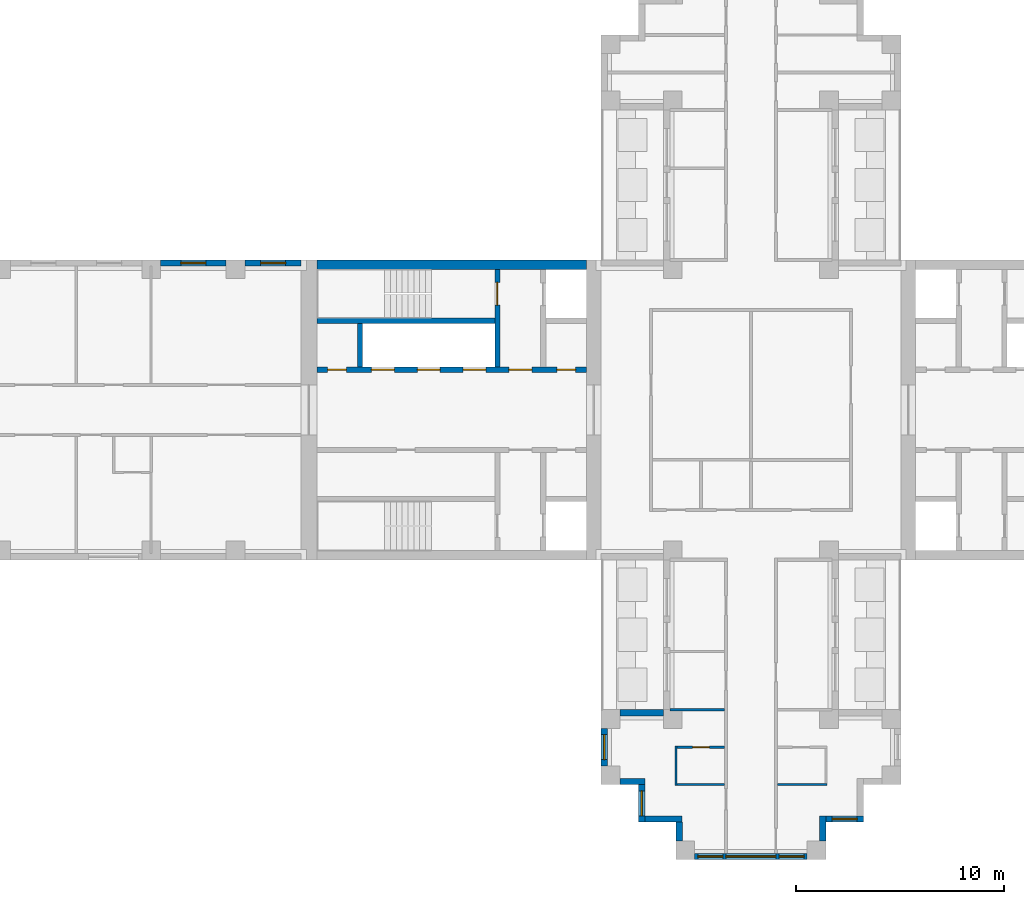
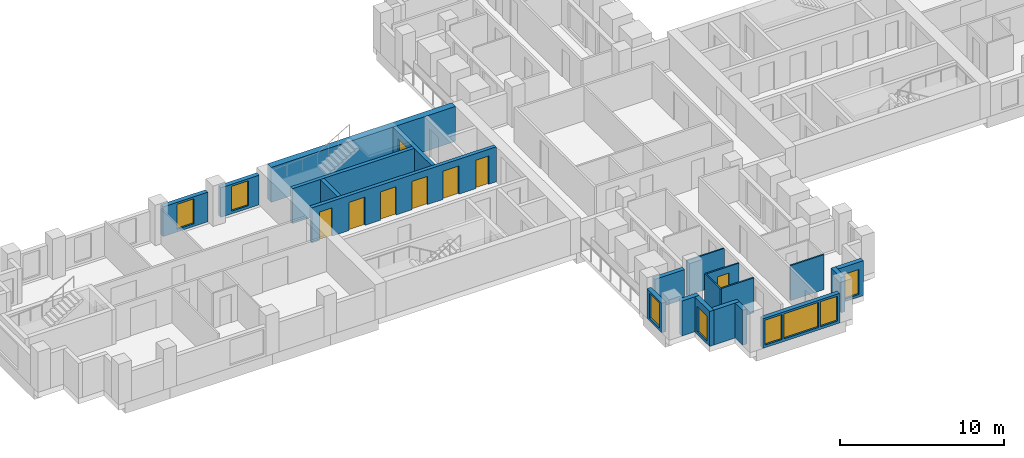
# One storey, part 4 of 12: 21 walls, 8 doors, 8 windows, 16 openings.
"""IFC4 building model written with IfcOpenShell, lengths in metres."""

from ifc_helpers import new_model, si_unit, direction, frame, frame_2d, origin, place, context, subcontext, project, spatial, rectangle, extrude, material, layer, layer_set, type_object, element, fill, save


model = new_model("IFC4")

# Units and contexts
model_context = context("Model", 3, precision=1e-05, world=origin(), true_north=direction((0.0, 1.0)))
body_context = subcontext(model_context, "Body", "Model", "MODEL_VIEW")
ifc_project = project(units=[si_unit("LENGTHUNIT", "METRE"), si_unit("AREAUNIT", "SQUARE_METRE"), si_unit("VOLUMEUNIT", "CUBIC_METRE"), si_unit("PLANEANGLEUNIT", "RADIAN"), si_unit("MASSUNIT", "GRAM", prefix="KILO")], contexts=[model_context])

# Site, building, storey
site_placement = place(None, origin())
site = spatial("IfcSite", under=ifc_project, at=site_placement, CompositionType="ELEMENT")
building_placement = place(site_placement, origin())
building = spatial("IfcBuilding", under=site, at=building_placement, Name="Fustian Cross Tower", CompositionType="ELEMENT")
storey_placement = place(building_placement, frame((0.0, 0.0, 156.300048828125)))
storey = spatial("IfcBuildingStorey", under=building, at=storey_placement, Name="L49", CompositionType="ELEMENT", Elevation=156.300048828125)

# Wall
ifc_material_1 = material(Name="Concrete C60/75", Category="concrete")
ifc_layer_1 = layer(ifc_material_1, 0.449951171875)
ifc_layer_set_1 = layer_set([ifc_layer_1], Name="Concrete C60/75")
wall_type_1 = type_object("IfcWallType", Name="CORE FACADE WALL 450 C60/75", PredefinedType="SHEAR", material=ifc_layer_set_1)
wall_1_placement = place(storey_placement, frame((-7.89990234375, 6.97509765625, 0.0), z_axis=(0.0, 0.0, 1.0), x_axis=(-1.0, 0.0, 0.0)))
element("IfcWall", 1, at=wall_1_placement, inside=storey, type_object=wall_type_1, Name="Core facade wall", PredefinedType="SHEAR", context=body_context, shape_type="SweptSolid", body=[
    extrude(rectangle(XDim=12.9501953125, YDim=0.449951171875, at=frame_2d((6.47509765625, 0.0))), origin(), (0.0, 0.0, 1.0), 2.599853515625),
])

# Wall, openings, doors
ifc_material_2 = material(Name="Concrete C50/60", Category="concrete")
ifc_layer_2 = layer(ifc_material_2, 0.25)
ifc_layer_set_2 = layer_set([ifc_layer_2], Name="Concrete C50/60")
wall_type_2 = type_object("IfcWallType", Name="CORE LOBBY WALL 250 C50/60", PredefinedType="SHEAR", material=ifc_layer_set_2)
wall_2_placement = place(storey_placement, frame((-7.89990234375, 1.925048828125, 0.0), z_axis=(0.0, 0.0, 1.0), x_axis=(-1.0, 0.0, 0.0)))
wall_2 = element("IfcWall", 2, at=wall_2_placement, inside=storey, type_object=wall_type_2, Name="Core lobby wall", PredefinedType="SHEAR", context=body_context, shape_type="SweptSolid", body=[
    extrude(rectangle(XDim=12.9501953125, YDim=0.25, at=frame_2d((6.47509765625, 0.0))), origin(), (0.0, 0.0, 1.0), 2.599853515625),
])
opening_1_placement = place(wall_2_placement, frame((4.824951171875, 0.0, 0.0)))
opening_1 = element("IfcOpeningElement", 3, at=opening_1_placement, cuts=wall_2, Name="Opening LD", PredefinedType="OPENING", context=body_context, shape_type="SweptSolid", body=[
    extrude(rectangle(XDim=1.10009765625, YDim=2.10009765625, at=frame_2d((0.550048828125, 1.050048828125))), frame((0.0, 0.135009765625, 0.0), z_axis=(0.0, -1.0, 0.0), x_axis=(1.0, 0.0, 0.0)), (0.0, 0.0, 1.0), 0.27001953125),
])
opening_2_placement = place(wall_2_placement, frame((7.02490234375, 0.0, 0.0)))
opening_2 = element("IfcOpeningElement", 4, at=opening_2_placement, cuts=wall_2, Name="Opening LD", PredefinedType="OPENING", context=body_context, shape_type="SweptSolid", body=[
    extrude(rectangle(XDim=1.10009765625, YDim=2.10009765625, at=frame_2d((0.550048828125, 1.050048828125))), frame((0.0, 0.135009765625, 0.0), z_axis=(0.0, -1.0, 0.0), x_axis=(1.0, 0.0, 0.0)), (0.0, 0.0, 1.0), 0.27001953125),
])
opening_3_placement = place(wall_2_placement, frame((9.22509765625, 0.0, 0.0)))
opening_3 = element("IfcOpeningElement", 5, at=opening_3_placement, cuts=wall_2, Name="Opening LD", PredefinedType="OPENING", context=body_context, shape_type="SweptSolid", body=[
    extrude(rectangle(XDim=1.10009765625, YDim=2.10009765625, at=frame_2d((0.550048828125, 1.050048828125))), frame((0.0, 0.135009765625, 0.0), z_axis=(0.0, -1.0, 0.0), x_axis=(1.0, 0.0, 0.0)), (0.0, 0.0, 1.0), 0.27001953125),
])
opening_4_placement = place(wall_2_placement, frame((0.52490234375, 0.0, 0.0)))
opening_4 = element("IfcOpeningElement", 6, at=opening_4_placement, cuts=wall_2, Name="Opening CD-17-23", PredefinedType="OPENING", context=body_context, shape_type="SweptSolid", body=[
    extrude(rectangle(XDim=0.89990234375, YDim=2.10009765625, at=frame_2d((0.449951171875, 1.050048828125))), frame((0.0, 0.135009765625, 0.0), z_axis=(0.0, -1.0, 0.0), x_axis=(1.0, 0.0, 0.0)), (0.0, 0.0, 1.0), 0.27001953125),
])
opening_5_placement = place(wall_2_placement, frame((2.625, 0.0, 0.0)))
opening_5 = element("IfcOpeningElement", 7, at=opening_5_placement, cuts=wall_2, Name="Opening CD-17-25", PredefinedType="OPENING", context=body_context, shape_type="SweptSolid", body=[
    extrude(rectangle(XDim=1.10009765625, YDim=2.10009765625, at=frame_2d((0.550048828125, 1.050048828125))), frame((0.0, 0.135009765625, 0.0), z_axis=(0.0, -1.0, 0.0), x_axis=(1.0, 0.0, 0.0)), (0.0, 0.0, 1.0), 0.27001953125),
])
opening_6_placement = place(wall_2_placement, frame((11.52490234375, 0.0, 0.0)))
opening_6 = element("IfcOpeningElement", 8, at=opening_6_placement, cuts=wall_2, Name="Opening CD-17-29", PredefinedType="OPENING", context=body_context, shape_type="SweptSolid", body=[
    extrude(rectangle(XDim=0.89990234375, YDim=2.10009765625, at=frame_2d((0.449951171875, 1.050048828125))), frame((0.0, 0.135009765625, 0.0), z_axis=(0.0, -1.0, 0.0), x_axis=(1.0, 0.0, 0.0)), (0.0, 0.0, 1.0), 0.27001953125),
])
ifc_material_3 = material(Name="Steel", Category="steel")
door_type_1 = type_object("IfcDoorType", Name="FIRE DOOR FD30S 900X2100", OperationType="SINGLE_SWING_LEFT", PredefinedType="DOOR", material=ifc_material_3)
door_1_placement = place(opening_6_placement, frame((0.89990234375, 0.0, 0.0), z_axis=(0.0, 0.0, 1.0), x_axis=(-1.0, 0.0, 0.0)))
door_1 = element("IfcDoor", 9, at=door_1_placement, inside=storey, type_object=door_type_1, Name="Core door CD-17-29", OperationType="SINGLE_SWING_RIGHT", OverallHeight=2.10009765625, OverallWidth=0.89990234375, PredefinedType="DOOR", context=body_context, shape_type="SweptSolid", body=[
    extrude(rectangle(XDim=0.89990234375, YDim=2.10009765625, at=frame_2d((0.449951171875, 1.050048828125))), frame((0.0, 0.02490234375, 0.0), z_axis=(0.0, -1.0, 0.0), x_axis=(1.0, 0.0, 0.0)), (0.0, 0.0, 1.0), 0.050048828125),
])
fill(opening_6, door_1)
ifc_material_4 = material(Name="Steel", Category="steel")
door_type_2 = type_object("IfcDoorType", Name="FIRE DOOR FD60S 1100X2100", OperationType="SINGLE_SWING_LEFT", PredefinedType="DOOR", material=ifc_material_4)
door_2_placement = place(opening_5_placement, frame((1.10009765625, 0.0, 0.0), z_axis=(0.0, 0.0, 1.0), x_axis=(-1.0, 0.0, 0.0)))
door_2 = element("IfcDoor", 10, at=door_2_placement, inside=storey, type_object=door_type_2, Name="Core door CD-17-25", OperationType="SINGLE_SWING_RIGHT", OverallHeight=2.10009765625, OverallWidth=1.10009765625, PredefinedType="DOOR", context=body_context, shape_type="SweptSolid", body=[
    extrude(rectangle(XDim=1.10009765625, YDim=2.10009765625, at=frame_2d((0.550048828125, 1.050048828125))), frame((0.0, 0.02490234375, 0.0), z_axis=(0.0, -1.0, 0.0), x_axis=(1.0, 0.0, 0.0)), (0.0, 0.0, 1.0), 0.050048828125),
])
fill(opening_5, door_2)
ifc_material_5 = material(Name="Steel", Category="steel")
door_type_3 = type_object("IfcDoorType", Name="FIRE DOOR FD60S 900X2100", OperationType="SINGLE_SWING_LEFT", PredefinedType="DOOR", material=ifc_material_5)
door_3_placement = place(opening_4_placement, frame((0.89990234375, 0.0, 0.0), z_axis=(0.0, 0.0, 1.0), x_axis=(-1.0, 0.0, 0.0)))
door_3 = element("IfcDoor", 11, at=door_3_placement, inside=storey, type_object=door_type_3, Name="Core door CD-17-23", OperationType="SINGLE_SWING_RIGHT", OverallHeight=2.10009765625, OverallWidth=0.89990234375, PredefinedType="DOOR", context=body_context, shape_type="SweptSolid", body=[
    extrude(rectangle(XDim=0.89990234375, YDim=2.10009765625, at=frame_2d((0.449951171875, 1.050048828125))), frame((0.0, 0.02490234375, 0.0), z_axis=(0.0, -1.0, 0.0), x_axis=(1.0, 0.0, 0.0)), (0.0, 0.0, 1.0), 0.050048828125),
])
fill(opening_4, door_3)
ifc_material_6 = material(Name="Stainless steel", Category="steel")
door_type_4 = type_object("IfcDoorType", Name="LIFT LANDING DOOR 1100X2100", OperationType="SLIDING_TO_LEFT", PredefinedType="DOOR", material=ifc_material_6)
door_4_placement = place(opening_1_placement, origin())
door_4 = element("IfcDoor", 12, at=door_4_placement, inside=storey, type_object=door_type_4, Name="Landing door HR1W", OperationType="SLIDING_TO_LEFT", OverallHeight=2.10009765625, OverallWidth=1.10009765625, PredefinedType="DOOR", context=body_context, shape_type="SweptSolid", body=[
    extrude(rectangle(XDim=1.10009765625, YDim=2.10009765625, at=frame_2d((0.550048828125, 1.050048828125))), frame((0.0, 0.02490234375, 0.0), z_axis=(0.0, -1.0, 0.0), x_axis=(1.0, 0.0, 0.0)), (0.0, 0.0, 1.0), 0.050048828125),
])
fill(opening_1, door_4)
door_5_placement = place(opening_2_placement, origin())
door_5 = element("IfcDoor", 13, at=door_5_placement, inside=storey, type_object=door_type_4, Name="Landing door HR2W", OperationType="SLIDING_TO_LEFT", OverallHeight=2.10009765625, OverallWidth=1.10009765625, PredefinedType="DOOR", context=body_context, shape_type="SweptSolid", body=[
    extrude(rectangle(XDim=1.10009765625, YDim=2.10009765625, at=frame_2d((0.550048828125, 1.050048828125))), frame((0.0, 0.02490234375, 0.0), z_axis=(0.0, -1.0, 0.0), x_axis=(1.0, 0.0, 0.0)), (0.0, 0.0, 1.0), 0.050048828125),
])
fill(opening_2, door_5)
door_6_placement = place(opening_3_placement, origin())
door_6 = element("IfcDoor", 14, at=door_6_placement, inside=storey, type_object=door_type_4, Name="Landing door HR3W", OperationType="SLIDING_TO_LEFT", OverallHeight=2.10009765625, OverallWidth=1.10009765625, PredefinedType="DOOR", context=body_context, shape_type="SweptSolid", body=[
    extrude(rectangle(XDim=1.10009765625, YDim=2.10009765625, at=frame_2d((0.550048828125, 1.050048828125))), frame((0.0, 0.02490234375, 0.0), z_axis=(0.0, -1.0, 0.0), x_axis=(1.0, 0.0, 0.0)), (0.0, 0.0, 1.0), 0.050048828125),
])
fill(opening_3, door_6)

# Wall
ifc_material_7 = material(Name="Concrete C50/60", Category="concrete")
ifc_layer_3 = layer(ifc_material_7, 0.25)
ifc_layer_set_3 = layer_set([ifc_layer_3], Name="Concrete C50/60")
wall_type_3 = type_object("IfcWallType", Name="CORE SHAFT WALL 250 C50/60", PredefinedType="SHEAR", material=ifc_layer_set_3)
wall_3_placement = place(storey_placement, frame((-12.300048828125, 4.27490234375, 0.0), z_axis=(0.0, 0.0, 1.0), x_axis=(-1.0, 0.0, 0.0)))
element("IfcWall", 15, at=wall_3_placement, inside=storey, type_object=wall_type_3, Name="Core shaft wall", PredefinedType="SHEAR", context=body_context, shape_type="SweptSolid", body=[
    extrude(rectangle(XDim=8.550048828125, YDim=0.25, at=frame_2d((4.27490234375, 0.0))), origin(), (0.0, 0.0, 1.0), 2.599853515625),
])

# Wall, opening, door
wall_4_placement = place(storey_placement, frame((-12.175048828125, 2.050048828125, 0.0), z_axis=(0.0, 0.0, 1.0), x_axis=(0.0, 1.0, 0.0)))
wall_4 = element("IfcWall", 16, at=wall_4_placement, inside=storey, type_object=wall_type_3, Name="Core shaft wall", PredefinedType="SHEAR", context=body_context, shape_type="SweptSolid", body=[
    extrude(rectangle(XDim=4.699951171875, YDim=0.25, at=frame_2d((2.35009765625, 0.0))), origin(), (0.0, 0.0, 1.0), 2.599853515625),
])
opening_7_placement = place(wall_4_placement, frame((2.97509765625, 0.0, 0.0)))
opening_7 = element("IfcOpeningElement", 17, at=opening_7_placement, cuts=wall_4, Name="Opening CD-17-21", PredefinedType="OPENING", context=body_context, shape_type="SweptSolid", body=[
    extrude(rectangle(XDim=1.10009765625, YDim=2.10009765625, at=frame_2d((0.550048828125, 1.050048828125))), frame((0.0, 0.135009765625, 0.0), z_axis=(0.0, -1.0, 0.0), x_axis=(1.0, 0.0, 0.0)), (0.0, 0.0, 1.0), 0.27001953125),
])
door_7_placement = place(opening_7_placement, origin())
door_7 = element("IfcDoor", 18, at=door_7_placement, inside=storey, type_object=door_type_2, Name="Core door CD-17-21", OperationType="SINGLE_SWING_LEFT", OverallHeight=2.10009765625, OverallWidth=1.10009765625, PredefinedType="DOOR", context=body_context, shape_type="SweptSolid", body=[
    extrude(rectangle(XDim=1.10009765625, YDim=2.10009765625, at=frame_2d((0.550048828125, 1.050048828125))), frame((0.0, 0.02490234375, 0.0), z_axis=(0.0, -1.0, 0.0), x_axis=(1.0, 0.0, 0.0)), (0.0, 0.0, 1.0), 0.050048828125),
])
fill(opening_7, door_7)

# Walls
ifc_material_8 = material(Name="Plasterboard on steel stud", Category="steel")
ifc_layer_4 = layer(ifc_material_8, 0.10009765625)
ifc_layer_set_4 = layer_set([ifc_layer_4], Name="Plasterboard on steel stud")
wall_type_4 = type_object("IfcWallType", Name="PARTITION 100 STUD", PredefinedType="PARTITIONING", material=ifc_layer_set_4)
wall_5_placement = place(storey_placement, frame((-3.89990234375, -14.39990234375, 0.0), z_axis=(0.0, 0.0, 1.0), x_axis=(1.0, 0.0, 0.0)))
element("IfcWall", 19, at=wall_5_placement, inside=storey, type_object=wall_type_4, Name="Partition 16", PredefinedType="PARTITIONING", context=body_context, shape_type="SweptSolid", body=[
    extrude(rectangle(XDim=2.625, YDim=0.10009765625, at=frame_2d((1.3125, 0.0))), origin(), (0.0, 0.0, 1.0), 2.599853515625),
])
wall_6_placement = place(storey_placement, frame((-3.60009765625, -18.050048828125, 0.0), z_axis=(0.0, 0.0, 1.0), x_axis=(0.0, 1.0, 0.0)))
element("IfcWall", 20, at=wall_6_placement, inside=storey, type_object=wall_type_4, Name="Partition 22", PredefinedType="PARTITIONING", context=body_context, shape_type="SweptSolid", body=[
    extrude(rectangle(XDim=1.900146484375, YDim=0.10009765625, at=frame_2d((0.9501953125, 0.0))), origin(), (0.0, 0.0, 1.0), 2.599853515625),
])
wall_7_placement = place(storey_placement, frame((-3.550048828125, -18.0, 0.0), z_axis=(0.0, 0.0, 1.0), x_axis=(1.0, 0.0, 0.0)))
element("IfcWall", 21, at=wall_7_placement, inside=storey, type_object=wall_type_4, Name="Partition 23", PredefinedType="PARTITIONING", context=body_context, shape_type="SweptSolid", body=[
    extrude(rectangle(XDim=2.275146484375, YDim=0.10009765625, at=frame_2d((1.1376953125, 0.0))), origin(), (0.0, 0.0, 1.0), 2.599853515625),
])

# Wall, opening, door
wall_8_placement = place(storey_placement, frame((-3.550048828125, -16.199951171875, 0.0), z_axis=(0.0, 0.0, 1.0), x_axis=(1.0, 0.0, 0.0)))
wall_8 = element("IfcWall", 22, at=wall_8_placement, inside=storey, type_object=wall_type_4, Name="Partition 24", PredefinedType="PARTITIONING", context=body_context, shape_type="SweptSolid", body=[
    extrude(rectangle(XDim=2.275146484375, YDim=0.10009765625, at=frame_2d((1.1376953125, 0.0))), origin(), (0.0, 0.0, 1.0), 2.599853515625),
])
opening_8_placement = place(wall_8_placement, frame((0.75, 0.0, 0.0)))
opening_8 = element("IfcOpeningElement", 23, at=opening_8_placement, cuts=wall_8, Name="Opening D22038", PredefinedType="OPENING", context=body_context, shape_type="SweptSolid", body=[
    extrude(rectangle(XDim=0.800048828125, YDim=2.10009765625, at=frame_2d((0.39990234375, 1.050048828125))), frame((0.0, 0.06005859375, 0.0), z_axis=(0.0, -1.0, 0.0), x_axis=(1.0, 0.0, 0.0)), (0.0, 0.0, 1.0), 0.1201171875),
])
ifc_material_9 = material(Name="Painted timber", Category="wood")
door_type_5 = type_object("IfcDoorType", Name="SWING DOOR 800", OperationType="SINGLE_SWING_LEFT", PredefinedType="DOOR", material=ifc_material_9)
door_8_placement = place(opening_8_placement, frame((0.800048828125, 0.0, 0.0), z_axis=(0.0, 0.0, 1.0), x_axis=(-1.0, 0.0, 0.0)))
door_8 = element("IfcDoor", 24, at=door_8_placement, inside=storey, type_object=door_type_5, Name="Door D22038", OperationType="SINGLE_SWING_RIGHT", OverallHeight=2.10009765625, OverallWidth=0.800048828125, PredefinedType="DOOR", context=body_context, shape_type="SweptSolid", body=[
    extrude(rectangle(XDim=0.800048828125, YDim=2.10009765625, at=frame_2d((0.39990234375, 1.050048828125))), frame((0.0, 0.02490234375, 0.0), z_axis=(0.0, -1.0, 0.0), x_axis=(1.0, 0.0, 0.0)), (0.0, 0.0, 1.0), 0.050048828125),
])
fill(opening_8, door_8)

# Walls
wall_9_placement = place(storey_placement, frame((1.27490234375, -18.0, 0.0), z_axis=(0.0, 0.0, 1.0), x_axis=(1.0, 0.0, 0.0)))
element("IfcWall", 25, at=wall_9_placement, inside=storey, type_object=wall_type_4, Name="Partition 33", PredefinedType="PARTITIONING", context=body_context, shape_type="SweptSolid", body=[
    extrude(rectangle(XDim=2.375, YDim=0.10009765625, at=frame_2d((1.1875, 0.0))), origin(), (0.0, 0.0, 1.0), 2.599853515625),
])
ifc_material_10 = material(Name="Concrete C40/50", Category="concrete")
ifc_layer_5 = layer(ifc_material_10, 0.25)
ifc_layer_set_5 = layer_set([ifc_layer_5], Name="Concrete C40/50")
wall_type_5 = type_object("IfcWallType", Name="SHAFT PARTITION WALL 250 C40/50", PredefinedType="PARTITIONING", material=ifc_layer_set_5)
wall_10_placement = place(storey_placement, frame((-18.77490234375, 2.050048828125, 0.0), z_axis=(0.0, 0.0, 1.0), x_axis=(0.0, 1.0, 0.0)))
element("IfcWall", 26, at=wall_10_placement, inside=storey, type_object=wall_type_5, Name="Core shaft wall", PredefinedType="PARTITIONING", context=body_context, shape_type="SweptSolid", body=[
    extrude(rectangle(XDim=2.099853515625, YDim=0.25, at=frame_2d((1.0498046875, 0.0))), origin(), (0.0, 0.0, 1.0), 2.599853515625),
])

# Wall, opening, window
ifc_material_11 = material(Name="Dark aluminium cladding on insulated backing wall", Category="aluminium")
ifc_layer_6 = layer(ifc_material_11, 0.300048828125)
ifc_layer_set_6 = layer_set([ifc_layer_6], Name="Dark aluminium cladding on insulated backing wall")
wall_type_6 = type_object("IfcWallType", Name="XW1 EXTERNAL WALL 300", PredefinedType="SOLIDWALL", material=ifc_layer_set_6)
wall_11_placement = place(storey_placement, frame((-21.60009765625, 7.050048828125, 0.0), z_axis=(0.0, 0.0, 1.0), x_axis=(-1.0, 0.0, 0.0)))
wall_11 = element("IfcWall", 27, at=wall_11_placement, inside=storey, type_object=wall_type_6, Name="External wall", PredefinedType="SOLIDWALL", context=body_context, shape_type="SweptSolid", body=[
    extrude(rectangle(XDim=2.699951171875, YDim=0.300048828125, at=frame_2d((1.35009765625, 0.0))), origin(), (0.0, 0.0, 1.0), 2.199951171875),
])
opening_9_placement = place(wall_11_placement, frame((0.75, 0.0, 0.199951171875)))
opening_9 = element("IfcOpeningElement", 28, at=opening_9_placement, cuts=wall_11, Name="Opening WN3", PredefinedType="OPENING", context=body_context, shape_type="SweptSolid", body=[
    extrude(rectangle(XDim=1.199951171875, YDim=1.85009765625, at=frame_2d((0.60009765625, 0.925048828125))), frame((0.0, 0.159912109375, 0.0), z_axis=(0.0, -1.0, 0.0), x_axis=(1.0, 0.0, 0.0)), (0.0, 0.0, 1.0), 0.320068359375),
])
ifc_material_12 = material(Name="Dark anodised aluminium and double glazing", Category="aluminium")
window_type_1 = type_object("IfcWindowType", Name="WN3 WINDOW 1200X1850", PartitioningType="SINGLE_PANEL", PredefinedType="WINDOW", material=ifc_material_12)
window_1_placement = place(opening_9_placement, origin())
window_1 = element("IfcWindow", 29, at=window_1_placement, inside=storey, type_object=window_type_1, Name="Window", OverallHeight=1.85009765625, OverallWidth=1.199951171875, PartitioningType="SINGLE_PANEL", PredefinedType="WINDOW", context=body_context, shape_type="SweptSolid", body=[
    extrude(rectangle(XDim=1.199951171875, YDim=1.85009765625, at=frame_2d((0.60009765625, 0.925048828125))), frame((0.0, 0.030029296875, 0.0), z_axis=(0.0, -1.0, 0.0), x_axis=(1.0, 0.0, 0.0)), (0.0, 0.0, 1.0), 0.06005859375),
])
fill(opening_9, window_1)

wall_12_placement = place(storey_placement, frame((-25.199951171875, 7.050048828125, 0.0), z_axis=(0.0, 0.0, 1.0), x_axis=(-1.0, 0.0, 0.0)))
wall_12 = element("IfcWall", 30, at=wall_12_placement, inside=storey, type_object=wall_type_6, Name="External wall", PredefinedType="SOLIDWALL", context=body_context, shape_type="SweptSolid", body=[
    extrude(rectangle(XDim=3.150146484375, YDim=0.300048828125, at=frame_2d((1.5751953125, 0.0))), origin(), (0.0, 0.0, 1.0), 2.199951171875),
])
opening_10_placement = place(wall_12_placement, frame((0.97509765625, 0.0, 0.199951171875)))
opening_10 = element("IfcOpeningElement", 31, at=opening_10_placement, cuts=wall_12, Name="Opening WN3", PredefinedType="OPENING", context=body_context, shape_type="SweptSolid", body=[
    extrude(rectangle(XDim=1.199951171875, YDim=1.85009765625, at=frame_2d((0.60009765625, 0.925048828125))), frame((0.0, 0.159912109375, 0.0), z_axis=(0.0, -1.0, 0.0), x_axis=(1.0, 0.0, 0.0)), (0.0, 0.0, 1.0), 0.320068359375),
])
window_2_placement = place(opening_10_placement, origin())
window_2 = element("IfcWindow", 32, at=window_2_placement, inside=storey, type_object=window_type_1, Name="Window", OverallHeight=1.85009765625, OverallWidth=1.199951171875, PartitioningType="SINGLE_PANEL", PredefinedType="WINDOW", context=body_context, shape_type="SweptSolid", body=[
    extrude(rectangle(XDim=1.199951171875, YDim=1.85009765625, at=frame_2d((0.60009765625, 0.925048828125))), frame((0.0, 0.030029296875, 0.0), z_axis=(0.0, -1.0, 0.0), x_axis=(1.0, 0.0, 0.0)), (0.0, 0.0, 1.0), 0.06005859375),
])
fill(opening_10, window_2)

# Wall
wall_13_placement = place(storey_placement, frame((-4.199951171875, -14.550048828125, 0.0), z_axis=(0.0, 0.0, 1.0), x_axis=(-1.0, 0.0, 0.0)))
element("IfcWall", 33, at=wall_13_placement, inside=storey, type_object=wall_type_6, Name="External wall", PredefinedType="SOLIDWALL", context=body_context, shape_type="SweptSolid", body=[
    extrude(rectangle(XDim=2.10009765625, YDim=0.300048828125, at=frame_2d((1.050048828125, 0.0))), origin(), (0.0, 0.0, 1.0), 2.199951171875),
])

# Wall, opening, window
wall_14_placement = place(storey_placement, frame((-7.050048828125, -15.300048828125, 0.0), z_axis=(0.0, 0.0, 1.0), x_axis=(0.0, -1.0, 0.0)))
wall_14 = element("IfcWall", 34, at=wall_14_placement, inside=storey, type_object=wall_type_6, Name="External wall", PredefinedType="SOLIDWALL", context=body_context, shape_type="SweptSolid", body=[
    extrude(rectangle(XDim=1.800048828125, YDim=0.300048828125, at=frame_2d((0.89990234375, 0.0))), origin(), (0.0, 0.0, 1.0), 2.199951171875),
])
opening_11_placement = place(wall_14_placement, frame((0.300048828125, 0.0, 0.199951171875)))
opening_11 = element("IfcOpeningElement", 35, at=opening_11_placement, cuts=wall_14, Name="Opening WN3", PredefinedType="OPENING", context=body_context, shape_type="SweptSolid", body=[
    extrude(rectangle(XDim=1.199951171875, YDim=1.85009765625, at=frame_2d((0.60009765625, 0.925048828125))), frame((0.0, 0.159912109375, 0.0), z_axis=(0.0, -1.0, 0.0), x_axis=(1.0, 0.0, 0.0)), (0.0, 0.0, 1.0), 0.320068359375),
])
window_3_placement = place(opening_11_placement, origin())
window_3 = element("IfcWindow", 36, at=window_3_placement, inside=storey, type_object=window_type_1, Name="Window", OverallHeight=1.85009765625, OverallWidth=1.199951171875, PartitioningType="SINGLE_PANEL", PredefinedType="WINDOW", context=body_context, shape_type="SweptSolid", body=[
    extrude(rectangle(XDim=1.199951171875, YDim=1.85009765625, at=frame_2d((0.60009765625, 0.925048828125))), frame((0.0, 0.030029296875, 0.0), z_axis=(0.0, -1.0, 0.0), x_axis=(1.0, 0.0, 0.0)), (0.0, 0.0, 1.0), 0.06005859375),
])
fill(opening_11, window_3)

# Wall
wall_15_placement = place(storey_placement, frame((-6.300048828125, -17.85009765625, 0.0), z_axis=(0.0, 0.0, 1.0), x_axis=(1.0, 0.0, 0.0)))
element("IfcWall", 37, at=wall_15_placement, inside=storey, type_object=wall_type_6, Name="External wall", PredefinedType="SOLIDWALL", context=body_context, shape_type="SweptSolid", body=[
    extrude(rectangle(XDim=1.199951171875, YDim=0.300048828125, at=frame_2d((0.60009765625, 0.0))), origin(), (0.0, 0.0, 1.0), 2.599853515625),
])

# Wall, opening, window
wall_16_placement = place(storey_placement, frame((-5.25, -18.0, 0.0), z_axis=(0.0, 0.0, 1.0), x_axis=(0.0, -1.0, 0.0)))
wall_16 = element("IfcWall", 38, at=wall_16_placement, inside=storey, type_object=wall_type_6, Name="External wall", PredefinedType="SOLIDWALL", context=body_context, shape_type="SweptSolid", body=[
    extrude(rectangle(XDim=1.800048828125, YDim=0.300048828125, at=frame_2d((0.89990234375, 0.0))), origin(), (0.0, 0.0, 1.0), 2.599853515625),
])
opening_12_placement = place(wall_16_placement, frame((0.300048828125, 0.0, 0.199951171875)))
opening_12 = element("IfcOpeningElement", 39, at=opening_12_placement, cuts=wall_16, Name="Opening WN3", PredefinedType="OPENING", context=body_context, shape_type="SweptSolid", body=[
    extrude(rectangle(XDim=1.199951171875, YDim=1.85009765625, at=frame_2d((0.60009765625, 0.925048828125))), frame((0.0, 0.159912109375, 0.0), z_axis=(0.0, -1.0, 0.0), x_axis=(1.0, 0.0, 0.0)), (0.0, 0.0, 1.0), 0.320068359375),
])
window_4_placement = place(opening_12_placement, origin())
window_4 = element("IfcWindow", 40, at=window_4_placement, inside=storey, type_object=window_type_1, Name="Window", OverallHeight=1.85009765625, OverallWidth=1.199951171875, PartitioningType="SINGLE_PANEL", PredefinedType="WINDOW", context=body_context, shape_type="SweptSolid", body=[
    extrude(rectangle(XDim=1.199951171875, YDim=1.85009765625, at=frame_2d((0.60009765625, 0.925048828125))), frame((0.0, 0.030029296875, 0.0), z_axis=(0.0, -1.0, 0.0), x_axis=(1.0, 0.0, 0.0)), (0.0, 0.0, 1.0), 0.06005859375),
])
fill(opening_12, window_4)

# Walls
wall_17_placement = place(storey_placement, frame((-5.10009765625, -19.64990234375, 0.0), z_axis=(0.0, 0.0, 1.0), x_axis=(1.0, 0.0, 0.0)))
element("IfcWall", 41, at=wall_17_placement, inside=storey, type_object=wall_type_6, Name="External wall", PredefinedType="SOLIDWALL", context=body_context, shape_type="SweptSolid", body=[
    extrude(rectangle(XDim=1.800048828125, YDim=0.300048828125, at=frame_2d((0.89990234375, 0.0))), origin(), (0.0, 0.0, 1.0), 2.599853515625),
])
wall_18_placement = place(storey_placement, frame((-3.449951171875, -19.800048828125, 0.0), z_axis=(0.0, 0.0, 1.0), x_axis=(0.0, -1.0, 0.0)))
element("IfcWall", 42, at=wall_18_placement, inside=storey, type_object=wall_type_6, Name="External wall", PredefinedType="SOLIDWALL", context=body_context, shape_type="SweptSolid", body=[
    extrude(rectangle(XDim=0.89990234375, YDim=0.300048828125, at=frame_2d((0.449951171875, 0.0))), origin(), (0.0, 0.0, 1.0), 2.599853515625),
])

# Wall, openings, windows
wall_19_placement = place(storey_placement, frame((-2.699951171875, -21.449951171875, 0.0), z_axis=(0.0, 0.0, 1.0), x_axis=(1.0, 0.0, 0.0)))
wall_19 = element("IfcWall", 43, at=wall_19_placement, inside=storey, type_object=wall_type_6, Name="External wall", PredefinedType="SOLIDWALL", context=body_context, shape_type="SweptSolid", body=[
    extrude(rectangle(XDim=5.39990234375, YDim=0.300048828125, at=frame_2d((2.699951171875, 0.0))), origin(), (0.0, 0.0, 1.0), 2.199951171875),
])
opening_13_placement = place(wall_19_placement, frame((1.5, 0.0, 0.199951171875)))
opening_13 = element("IfcOpeningElement", 44, at=opening_13_placement, cuts=wall_19, Name="Opening WN1", PredefinedType="OPENING", context=body_context, shape_type="SweptSolid", body=[
    extrude(rectangle(XDim=2.39990234375, YDim=1.85009765625, at=frame_2d((1.199951171875, 0.925048828125))), frame((0.0, 0.159912109375, 0.0), z_axis=(0.0, -1.0, 0.0), x_axis=(1.0, 0.0, 0.0)), (0.0, 0.0, 1.0), 0.320068359375),
])
opening_14_placement = place(wall_19_placement, frame((0.14990234375, 0.0, 0.199951171875)))
opening_14 = element("IfcOpeningElement", 45, at=opening_14_placement, cuts=wall_19, Name="Opening WN3", PredefinedType="OPENING", context=body_context, shape_type="SweptSolid", body=[
    extrude(rectangle(XDim=1.199951171875, YDim=1.85009765625, at=frame_2d((0.60009765625, 0.925048828125))), frame((0.0, 0.159912109375, 0.0), z_axis=(0.0, -1.0, 0.0), x_axis=(1.0, 0.0, 0.0)), (0.0, 0.0, 1.0), 0.320068359375),
])
opening_15_placement = place(wall_19_placement, frame((4.050048828125, 0.0, 0.199951171875)))
opening_15 = element("IfcOpeningElement", 46, at=opening_15_placement, cuts=wall_19, Name="Opening WN3", PredefinedType="OPENING", context=body_context, shape_type="SweptSolid", body=[
    extrude(rectangle(XDim=1.199951171875, YDim=1.85009765625, at=frame_2d((0.60009765625, 0.925048828125))), frame((0.0, 0.159912109375, 0.0), z_axis=(0.0, -1.0, 0.0), x_axis=(1.0, 0.0, 0.0)), (0.0, 0.0, 1.0), 0.320068359375),
])
ifc_material_13 = material(Name="Dark anodised aluminium and double glazing", Category="aluminium")
window_type_2 = type_object("IfcWindowType", Name="WN1 WINDOW 2400X1850", PartitioningType="SINGLE_PANEL", PredefinedType="WINDOW", material=ifc_material_13)
window_5_placement = place(opening_13_placement, origin())
window_5 = element("IfcWindow", 47, at=window_5_placement, inside=storey, type_object=window_type_2, Name="Window", OverallHeight=1.85009765625, OverallWidth=2.39990234375, PartitioningType="SINGLE_PANEL", PredefinedType="WINDOW", context=body_context, shape_type="SweptSolid", body=[
    extrude(rectangle(XDim=2.39990234375, YDim=1.85009765625, at=frame_2d((1.199951171875, 0.925048828125))), frame((0.0, 0.030029296875, 0.0), z_axis=(0.0, -1.0, 0.0), x_axis=(1.0, 0.0, 0.0)), (0.0, 0.0, 1.0), 0.06005859375),
])
fill(opening_13, window_5)
window_6_placement = place(opening_14_placement, origin())
window_6 = element("IfcWindow", 48, at=window_6_placement, inside=storey, type_object=window_type_1, Name="Window", OverallHeight=1.85009765625, OverallWidth=1.199951171875, PartitioningType="SINGLE_PANEL", PredefinedType="WINDOW", context=body_context, shape_type="SweptSolid", body=[
    extrude(rectangle(XDim=1.199951171875, YDim=1.85009765625, at=frame_2d((0.60009765625, 0.925048828125))), frame((0.0, 0.030029296875, 0.0), z_axis=(0.0, -1.0, 0.0), x_axis=(1.0, 0.0, 0.0)), (0.0, 0.0, 1.0), 0.06005859375),
])
fill(opening_14, window_6)
window_7_placement = place(opening_15_placement, origin())
window_7 = element("IfcWindow", 49, at=window_7_placement, inside=storey, type_object=window_type_1, Name="Window", OverallHeight=1.85009765625, OverallWidth=1.199951171875, PartitioningType="SINGLE_PANEL", PredefinedType="WINDOW", context=body_context, shape_type="SweptSolid", body=[
    extrude(rectangle(XDim=1.199951171875, YDim=1.85009765625, at=frame_2d((0.60009765625, 0.925048828125))), frame((0.0, 0.030029296875, 0.0), z_axis=(0.0, -1.0, 0.0), x_axis=(1.0, 0.0, 0.0)), (0.0, 0.0, 1.0), 0.06005859375),
])
fill(opening_15, window_7)

# Wall
wall_20_placement = place(storey_placement, frame((3.449951171875, -20.699951171875, 0.0), z_axis=(0.0, 0.0, 1.0), x_axis=(0.0, 1.0, 0.0)))
element("IfcWall", 50, at=wall_20_placement, inside=storey, type_object=wall_type_6, Name="External wall", PredefinedType="SOLIDWALL", context=body_context, shape_type="SweptSolid", body=[
    extrude(rectangle(XDim=1.199951171875, YDim=0.300048828125, at=frame_2d((0.60009765625, 0.0))), origin(), (0.0, 0.0, 1.0), 2.599853515625),
])

# Wall, opening, window
wall_21_placement = place(storey_placement, frame((3.60009765625, -19.64990234375, 0.0), z_axis=(0.0, 0.0, 1.0), x_axis=(1.0, 0.0, 0.0)))
wall_21 = element("IfcWall", 51, at=wall_21_placement, inside=storey, type_object=wall_type_6, Name="External wall", PredefinedType="SOLIDWALL", context=body_context, shape_type="SweptSolid", body=[
    extrude(rectangle(XDim=1.7998046875, YDim=0.300048828125, at=frame_2d((0.89990234375, 0.0))), origin(), (0.0, 0.0, 1.0), 2.599853515625),
])
opening_16_placement = place(wall_21_placement, frame((0.300048828125, 0.0, 0.199951171875)))
opening_16 = element("IfcOpeningElement", 52, at=opening_16_placement, cuts=wall_21, Name="Opening WN3", PredefinedType="OPENING", context=body_context, shape_type="SweptSolid", body=[
    extrude(rectangle(XDim=1.199951171875, YDim=1.85009765625, at=frame_2d((0.60009765625, 0.925048828125))), frame((0.0, 0.159912109375, 0.0), z_axis=(0.0, -1.0, 0.0), x_axis=(1.0, 0.0, 0.0)), (0.0, 0.0, 1.0), 0.320068359375),
])
window_8_placement = place(opening_16_placement, origin())
window_8 = element("IfcWindow", 53, at=window_8_placement, inside=storey, type_object=window_type_1, Name="Window", OverallHeight=1.85009765625, OverallWidth=1.199951171875, PartitioningType="SINGLE_PANEL", PredefinedType="WINDOW", context=body_context, shape_type="SweptSolid", body=[
    extrude(rectangle(XDim=1.199951171875, YDim=1.85009765625, at=frame_2d((0.60009765625, 0.925048828125))), frame((0.0, 0.030029296875, 0.0), z_axis=(0.0, -1.0, 0.0), x_axis=(1.0, 0.0, 0.0)), (0.0, 0.0, 1.0), 0.06005859375),
])
fill(opening_16, window_8)

save(model, "model.ifc")
